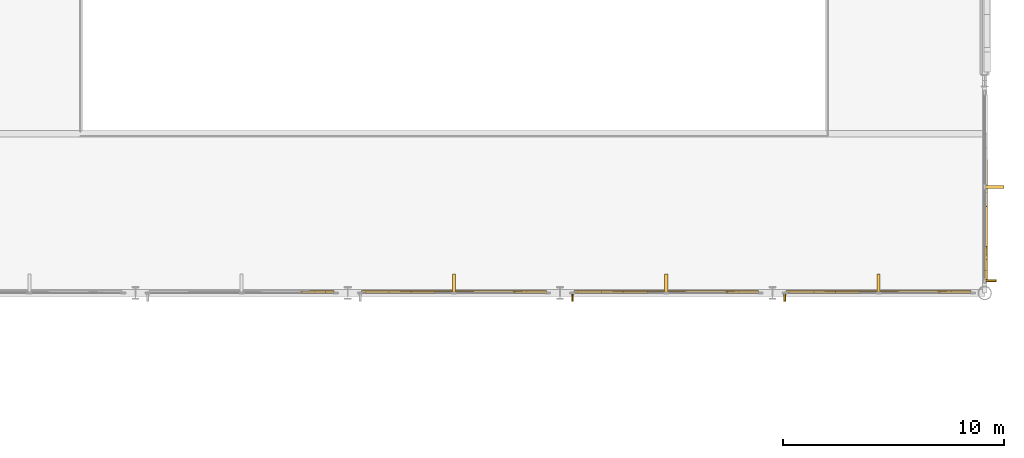
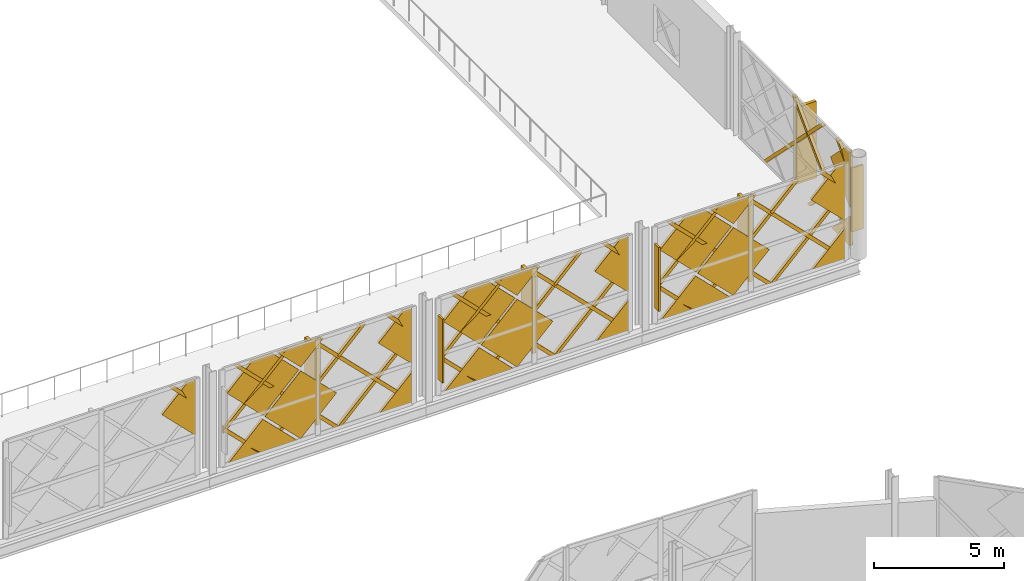
# One storey, part 74 of 77: 51 coverings, 3 shading devices.
"""IFC4 building model written with IfcOpenShell, lengths in metres."""

from ifc_helpers import new_model, si_unit, direction, frame, origin, origin_2d, place, context, subcontext, project, spatial, polyline, rectangle, outline, extrude, material, layer, layer_set, type_object, element, save


model = new_model("IFC4")

# Units and contexts
model_context = context("Model", 3, precision=1e-05, world=origin(), true_north=direction((0.0, 1.0)))
body_context = subcontext(model_context, "Body", "Model", "MODEL_VIEW")
ifc_project = project(units=[si_unit("LENGTHUNIT", "METRE"), si_unit("AREAUNIT", "SQUARE_METRE"), si_unit("VOLUMEUNIT", "CUBIC_METRE"), si_unit("PLANEANGLEUNIT", "RADIAN"), si_unit("MASSUNIT", "GRAM", prefix="KILO")], contexts=[model_context])

# Site, building, storey
site_placement = place(None, origin())
site = spatial("IfcSite", under=ifc_project, at=site_placement, CompositionType="ELEMENT")
building_placement = place(site_placement, origin())
building = spatial("IfcBuilding", under=site, at=building_placement, Name="Zevrakil Square Congress Hotel", CompositionType="ELEMENT")
storey_placement = place(building_placement, frame((0.0, 0.0, 9.89990234375)))
storey = spatial("IfcBuildingStorey", under=building, at=storey_placement, Name="L03", CompositionType="ELEMENT", Elevation=9.89990234375)

# Coverings
ifc_material_1 = material(Name="Architectural White Fibre-C GRC", Category="concrete")
ifc_layer_1 = layer(ifc_material_1, 0.06494140625)
ifc_layer_set_1 = layer_set([ifc_layer_1], Name="Architectural White Fibre-C GRC")
covering_type_1 = type_object("IfcCoveringType", Name="COV-DIA-WHITE", PredefinedType="CLADDING", material=ifc_layer_set_1)
covering_1_placement = place(storey_placement, frame((165.695068359375, 66.830078125, 0.080078125), z_axis=(0.999999760125, 0.0, 0.000692640526), x_axis=(0.0, -1.0, 0.0)))
element("IfcCovering", 1, at=covering_1_placement, inside=storey, type_object=covering_type_1, Name="L03 45-degree white GRC diamond facade cassette 894", PredefinedType="CLADDING", context=body_context, shape_type="SweptSolid", body=[
    extrude(outline(polyline([(0.0, 0.0), (1.41015625, 0.0), (1.41015625, -1.4099124475784226), (0.0, 0.0)])), origin(), (0.0, 0.0, -1.0), 0.1201171875),
])
covering_2_placement = place(storey_placement, frame((165.693115234375, 66.909912109375, 3.360107421875), z_axis=(0.999999832132, -6.6590382e-05, 0.000575587748), x_axis=(0.000359915524, -0.707106739346, -0.707106731429)))
element("IfcCovering", 2, at=covering_2_placement, inside=storey, type_object=covering_type_1, Name="L03 45-degree white GRC diamond facade cassette 897", PredefinedType="CLADDING", context=body_context, shape_type="SweptSolid", body=[
    extrude(outline(polyline([(0.0, 0.0), (2.1071645243864108, 4.440892098500626e-16), (0.2756954147132399, -1.8314688986077563), (-0.00017288838131890305, -1.5556005640896053), (0.0, 0.0)])), origin(), (0.0, 0.0, -1.0), 0.1201171875),
])
covering_3_placement = place(storey_placement, frame((134.68994140625, 64.89306640625, 3.360107421875), z_axis=(6.6594553e-05, 0.999999832135, 0.0005755821), x_axis=(0.707106739346, 0.00035990858, -0.707106731433)))
element("IfcCovering", 3, at=covering_3_placement, inside=storey, type_object=covering_type_1, Name="L03 45-degree white GRC diamond facade cassette 1079", PredefinedType="CLADDING", context=body_context, shape_type="SweptSolid", body=[
    extrude(outline(polyline([(0.0, 0.0), (2.1071645243865915, 0.0), (0.27569541471321635, -1.8314688986077599), (-2.548998729867691e-07, -1.5557731975905282), (0.0, 0.0)])), origin(), (0.0, 0.0, -1.0), 0.1201171875),
])
covering_4_placement = place(storey_placement, frame((144.3701171875, 64.89501953125, 0.080078125), z_axis=(0.0, 0.999999760125, 0.000692640526), x_axis=(1.0, 0.0, 0.0)))
element("IfcCovering", 4, at=covering_4_placement, inside=storey, type_object=covering_type_1, Name="L03 45-degree white GRC diamond facade cassette 1101", PredefinedType="CLADDING", context=body_context, shape_type="SweptSolid", body=[
    extrude(outline(polyline([(0.0, 0.0), (1.409912109375, 0.0), (1.409912109375, -1.4099124475784228), (0.0, 0.0)])), origin(), (0.0, 0.0, -1.0), 0.1201171875),
])
covering_5_placement = place(storey_placement, frame((139.159912109375, 64.89404296875, 1.590087890625), z_axis=(0.0, 0.999999790873, 0.000646725815), x_axis=(-0.707106707249, 0.000457304257, -0.707106707249)))
element("IfcCovering", 5, at=covering_5_placement, inside=storey, type_object=covering_type_1, Name="L03 45-degree white GRC diamond facade cassette 1102", PredefinedType="CLADDING", context=body_context, shape_type="SweptSolid", body=[
    extrude(outline(polyline([(0.0, 0.0), (2.1354765131557993, 0.0), (4.465861884739297e-07, -2.1354765131557527), (0.0, 0.0)])), origin(), (0.0, 0.0, -1.0), 0.1201171875),
])
covering_6_placement = place(storey_placement, frame((140.840087890625, 64.89306640625, 3.27001953125), z_axis=(0.0, 0.999999811377, 0.000614203339), x_axis=(-0.707161000837, 0.000434274042, -0.707052424012)))
element("IfcCovering", 6, at=covering_6_placement, inside=storey, type_object=covering_type_1, Name="L03 45-degree white GRC diamond facade cassette 1103", PredefinedType="CLADDING", context=body_context, shape_type="SweptSolid", body=[
    extrude(outline(polyline([(0.0, 0.0), (2.2485514454867683, 0.0), (2.2483792228863573, -2.248724065739994), (-0.0001721960923970478, -2.248378798790573), (0.0, 0.0)])), origin(), (0.0, 0.0, -1.0), 0.1201171875),
])
covering_7_placement = place(storey_placement, frame((144.2900390625, 64.89306640625, 3.360107421875), z_axis=(6.6590382e-05, 0.999999832132, 0.000575587748), x_axis=(0.707106739346, 0.000359915524, -0.707106731429)))
element("IfcCovering", 7, at=covering_7_placement, inside=storey, type_object=covering_type_1, Name="L03 45-degree white GRC diamond facade cassette 1104", PredefinedType="CLADDING", context=body_context, shape_type="SweptSolid", body=[
    extrude(outline(polyline([(0.0, 0.0), (2.1071645243864108, 4.440892098500626e-16), (0.2756954147132399, -1.8314688986077563), (-0.00017288838131890305, -1.5556005640896053), (0.0, 0.0)])), origin(), (0.0, 0.0, -1.0), 0.1201171875),
])
covering_8_placement = place(storey_placement, frame((137.570068359375, 64.89306640625, 3.360107421875), z_axis=(0.0, 0.99999984427, 0.000558085713), x_axis=(0.707052454844, 0.000394656509, -0.707160993229)))
element("IfcCovering", 8, at=covering_8_placement, inside=storey, type_object=covering_type_1, Name="L03 45-degree white GRC diamond facade cassette 1105", PredefinedType="CLADDING", context=body_context, shape_type="SweptSolid", body=[
    extrude(outline(polyline([(0.0, 0.0), (2.248551347367504, 0.0), (2.24837847274146, -2.2487239675782313), (0.692605284023527, -2.2486046114861047), (-0.00029231210577995714, -1.5556005419383874), (0.0, 0.0)])), origin(), (0.0, 0.0, -1.0), 0.1201171875),
])
covering_9_placement = place(storey_placement, frame((140.840087890625, 64.892822265625, 3.4501953125), z_axis=(0.0, 0.999999883142, 0.000483442051), x_axis=(0.707106739871, -0.000341845173, 0.707106739871)))
element("IfcCovering", 9, at=covering_9_placement, inside=storey, type_object=covering_type_1, Name="L03 45-degree white GRC diamond facade cassette 1106", PredefinedType="CLADDING", context=body_context, shape_type="SweptSolid", body=[
    extrude(outline(polyline([(0.0, 0.0), (1.4283695921344428, 0.0), (1.6691658821788025e-07, -1.4283695921344328), (0.0, 0.0)])), origin(), (0.0, 0.0, -1.0), 0.1201171875),
])
covering_10_placement = place(storey_placement, frame((153.969970703125, 64.89501953125, 0.080078125), z_axis=(0.0, 0.999999760125, 0.000692640526), x_axis=(1.0, 0.0, 0.0)))
element("IfcCovering", 10, at=covering_10_placement, inside=storey, type_object=covering_type_1, Name="L03 45-degree white GRC diamond facade cassette 1126", PredefinedType="CLADDING", context=body_context, shape_type="SweptSolid", body=[
    extrude(outline(polyline([(0.0, 0.0), (1.409912109375, 0.0), (1.409912109375, -1.4099124475784228), (0.0, 0.0)])), origin(), (0.0, 0.0, -1.0), 0.1201171875),
])
covering_11_placement = place(storey_placement, frame((148.760009765625, 64.89404296875, 1.590087890625), z_axis=(0.0, 0.999999790873, 0.000646725815), x_axis=(-0.707106707249, 0.000457304257, -0.707106707249)))
element("IfcCovering", 11, at=covering_11_placement, inside=storey, type_object=covering_type_1, Name="L03 45-degree white GRC diamond facade cassette 1127", PredefinedType="CLADDING", context=body_context, shape_type="SweptSolid", body=[
    extrude(outline(polyline([(0.0, 0.0), (2.1354765131557993, 0.0), (4.465861884739297e-07, -2.1354765131557527), (0.0, 0.0)])), origin(), (0.0, 0.0, -1.0), 0.1201171875),
])
covering_12_placement = place(storey_placement, frame((150.43994140625, 64.89306640625, 3.27001953125), z_axis=(0.0, 0.999999811377, 0.000614203339), x_axis=(-0.707106714488, 0.000434307387, -0.707106714509)))
element("IfcCovering", 12, at=covering_12_placement, inside=storey, type_object=covering_type_1, Name="L03 45-degree white GRC diamond facade cassette 1128", PredefinedType="CLADDING", context=body_context, shape_type="SweptSolid", body=[
    extrude(outline(polyline([(0.0, 0.0), (2.2483788053845455, -2.220446049250313e-16), (2.2485518630206376, -2.24855143882716), (-0.00017220931434658304, -2.2485514388922905), (0.0, 0.0)])), origin(), (0.0, 0.0, -1.0), 0.1201171875),
])
covering_13_placement = place(storey_placement, frame((153.889892578125, 64.89306640625, 3.360107421875), z_axis=(6.6594553e-05, 0.999999832135, 0.0005755821), x_axis=(0.707106739346, 0.00035990858, -0.707106731433)))
element("IfcCovering", 13, at=covering_13_placement, inside=storey, type_object=covering_type_1, Name="L03 45-degree white GRC diamond facade cassette 1129", PredefinedType="CLADDING", context=body_context, shape_type="SweptSolid", body=[
    extrude(outline(polyline([(0.0, 0.0), (2.1071645243865915, 0.0), (0.27569541471321635, -1.8314688986077599), (-2.548998729867691e-07, -1.5557731975905282), (0.0, 0.0)])), origin(), (0.0, 0.0, -1.0), 0.1201171875),
])
covering_14_placement = place(storey_placement, frame((147.169921875, 64.89306640625, 3.360107421875), z_axis=(0.0, 0.999999844271, 0.000558084788), x_axis=(0.70710674536, 0.000394625558, -0.707106706896)))
element("IfcCovering", 14, at=covering_14_placement, inside=storey, type_object=covering_type_1, Name="L03 45-degree white GRC diamond facade cassette 1130", PredefinedType="CLADDING", context=body_context, shape_type="SweptSolid", body=[
    extrude(outline(polyline([(0.0, 0.0), (2.2487239742233536, 0.0), (2.248723746350855, -2.248723974223342), (0.6929505530546104, -2.24872406328951), (-2.467190984845047e-07, -1.5557731932962273), (0.0, 0.0)])), origin(), (0.0, 0.0, -1.0), 0.1201171875),
])
covering_15_placement = place(storey_placement, frame((150.43994140625, 64.892822265625, 3.4501953125), z_axis=(0.0, 0.999999883142, 0.000483442051), x_axis=(0.707106739871, -0.000341845173, 0.707106739871)))
element("IfcCovering", 15, at=covering_15_placement, inside=storey, type_object=covering_type_1, Name="L03 45-degree white GRC diamond facade cassette 1131", PredefinedType="CLADDING", context=body_context, shape_type="SweptSolid", body=[
    extrude(outline(polyline([(0.0, 0.0), (1.4283695921344428, 0.0), (1.6691658821788025e-07, -1.4283695921344328), (0.0, 0.0)])), origin(), (0.0, 0.0, -1.0), 0.1201171875),
])
covering_16_placement = place(storey_placement, frame((163.570068359375, 64.89501953125, 0.080078125), z_axis=(0.0, 0.999999760125, 0.000692640526), x_axis=(1.0, 0.0, 0.0)))
element("IfcCovering", 16, at=covering_16_placement, inside=storey, type_object=covering_type_1, Name="L03 45-degree white GRC diamond facade cassette 1151", PredefinedType="CLADDING", context=body_context, shape_type="SweptSolid", body=[
    extrude(outline(polyline([(0.0, 0.0), (1.409912109375, 0.0), (1.409912109375, -1.4099124475784228), (0.0, 0.0)])), origin(), (0.0, 0.0, -1.0), 0.1201171875),
])
covering_17_placement = place(storey_placement, frame((158.360107421875, 64.89404296875, 1.590087890625), z_axis=(0.0, 0.999999790873, 0.000646725815), x_axis=(-0.707106707249, 0.000457304257, -0.707106707249)))
element("IfcCovering", 17, at=covering_17_placement, inside=storey, type_object=covering_type_1, Name="L03 45-degree white GRC diamond facade cassette 1152", PredefinedType="CLADDING", context=body_context, shape_type="SweptSolid", body=[
    extrude(outline(polyline([(0.0, 0.0), (2.1354765131557993, 0.0), (4.465861884739297e-07, -2.1354765131557527), (0.0, 0.0)])), origin(), (0.0, 0.0, -1.0), 0.1201171875),
])
covering_18_placement = place(storey_placement, frame((160.0400390625, 64.89306640625, 3.27001953125), z_axis=(0.0, 0.999999811377, 0.000614203339), x_axis=(-0.707161000837, 0.000434274042, -0.707052424012)))
element("IfcCovering", 18, at=covering_18_placement, inside=storey, type_object=covering_type_1, Name="L03 45-degree white GRC diamond facade cassette 1153", PredefinedType="CLADDING", context=body_context, shape_type="SweptSolid", body=[
    extrude(outline(polyline([(0.0, 0.0), (2.2485514454867683, 0.0), (2.2483792228863573, -2.248724065739994), (-0.0001721960923970478, -2.248378798790573), (0.0, 0.0)])), origin(), (0.0, 0.0, -1.0), 0.1201171875),
])
covering_19_placement = place(storey_placement, frame((163.489990234375, 64.89306640625, 3.360107421875), z_axis=(6.6594553e-05, 0.999999832135, 0.0005755821), x_axis=(0.707106739346, 0.00035990858, -0.707106731433)))
element("IfcCovering", 19, at=covering_19_placement, inside=storey, type_object=covering_type_1, Name="L03 45-degree white GRC diamond facade cassette 1154", PredefinedType="CLADDING", context=body_context, shape_type="SweptSolid", body=[
    extrude(outline(polyline([(0.0, 0.0), (2.1071645243865915, 0.0), (0.27569541471321635, -1.8314688986077599), (-2.548998729867691e-07, -1.5557731975905282), (0.0, 0.0)])), origin(), (0.0, 0.0, -1.0), 0.1201171875),
])
covering_20_placement = place(storey_placement, frame((156.77001953125, 64.89306640625, 3.360107421875), z_axis=(0.0, 0.99999984427, 0.000558085713), x_axis=(0.70710674536, 0.000394626212, -0.707106706896)))
element("IfcCovering", 20, at=covering_20_placement, inside=storey, type_object=covering_type_1, Name="L03 45-degree white GRC diamond facade cassette 1155", PredefinedType="CLADDING", context=body_context, shape_type="SweptSolid", body=[
    extrude(outline(polyline([(0.0, 0.0), (2.2487239742232523, 2.220446049250313e-16), (2.2485511128682028, -2.248551340722994), (0.6929505530546344, -2.248724063289557), (-2.4671910581197665e-07, -1.5557731932963055), (0.0, 0.0)])), origin(), (0.0, 0.0, -1.0), 0.1201171875),
])
covering_21_placement = place(storey_placement, frame((160.0400390625, 64.892822265625, 3.4501953125), z_axis=(0.0, 0.999999883142, 0.000483442051), x_axis=(0.707106739871, -0.000341845173, 0.707106739871)))
element("IfcCovering", 21, at=covering_21_placement, inside=storey, type_object=covering_type_1, Name="L03 45-degree white GRC diamond facade cassette 1156", PredefinedType="CLADDING", context=body_context, shape_type="SweptSolid", body=[
    extrude(outline(polyline([(0.0, 0.0), (1.4283695921344428, 0.0), (1.6691658821788025e-07, -1.4283695921344328), (0.0, 0.0)])), origin(), (0.0, 0.0, -1.0), 0.1201171875),
])
ifc_material_2 = material(Name="Anodised Champagne Aluminium", Category="aluminium")
ifc_layer_2 = layer(ifc_material_2, 0.0849609375)
ifc_layer_set_2 = layer_set([ifc_layer_2], Name="Anodised Champagne Aluminium")
covering_type_2 = type_object("IfcCoveringType", Name="COV-DIAGRID-45", PredefinedType="MOLDING", material=ifc_layer_set_2)
covering_22_placement = place(storey_placement, frame((165.718017578125, 65.419921875, 3.35400390625), z_axis=(0.999999865922, 0.00036616619, 0.00036616619), x_axis=(-0.000366166166, -1.34078e-07, 0.999999932961)))
element("IfcCovering", 22, at=covering_22_placement, inside=storey, type_object=covering_type_2, Name="L03 45-degree aluminium diagrid rib 900", PredefinedType="MOLDING", context=body_context, shape_type="SweptSolid", body=[
    extrude(outline(polyline([(0.0, 0.0), (0.21215818890215982, 5.6157808774107894e-24), (1.1062012460334505, -0.8940431770025326), (1.1062012175877691, -1.1062013659046903), (0.0, 0.0)])), origin(), (0.0, 0.0, -1.0), 0.14501953125),
])
covering_23_placement = place(storey_placement, frame((165.719970703125, 65.506103515625, 0.080078125), z_axis=(0.999999888676, 0.000183854233, 0.000434564551), x_axis=(0.000183854216, -0.999999983099, 7.9897e-08)))
element("IfcCovering", 23, at=covering_23_placement, inside=storey, type_object=covering_type_2, Name="L03 45-degree aluminium diagrid rib 901", PredefinedType="MOLDING", context=body_context, shape_type="SweptSolid", body=[
    extrude(outline(polyline([(0.0, 0.0), (0.08618163916842775, 0.0), (0.08618164925302442, -0.12622069120683954), (-4.16772468272765, -4.380127706582967), (-4.379882882266924, -4.380127706582967), (0.0, 0.0)])), origin(), (0.0, 0.0, -1.0), 0.14501953125),
])
covering_24_placement = place(storey_placement, frame((165.718017578125, 65.419921875, 3.154052734375), z_axis=(0.999999905696, -0.00030708991, 0.00030708991), x_axis=(-0.000307089896, 9.4304e-08, 0.999999952848)))
element("IfcCovering", 24, at=covering_24_placement, inside=storey, type_object=covering_type_2, Name="L03 45-degree aluminium diagrid rib 904", PredefinedType="MOLDING", context=body_context, shape_type="SweptSolid", body=[
    extrude(outline(polyline([(0.0, 0.0), (0.2121581931212936, 0.0), (-3.0739747543193885, -3.2861332573369064), (-3.073974774326802, -3.0739750642156136), (0.0, 0.0)])), origin(), (0.0, 0.0, -1.0), 0.14501953125),
])
covering_25_placement = place(storey_placement, frame((165.71728515625, 67.473876953125, 4.460205078125), z_axis=(0.999999812042, 0.0, 0.00061312067), x_axis=(0.0, 1.0, 0.0)))
element("IfcCovering", 25, at=covering_25_placement, inside=storey, type_object=covering_type_2, Name="L03 45-degree aluminium diagrid rib 905", PredefinedType="MOLDING", context=body_context, shape_type="SweptSolid", body=[
    extrude(outline(polyline([(0.0, 0.0), (0.212158203125, 0.0), (4.59228515625, -4.380127776407226), (4.380126953125, -4.380127776407226), (0.0, 0.0)])), origin(), (0.0, 0.0, -1.0), 0.14501953125),
])
covering_26_placement = place(storey_placement, frame((136.179931640625, 64.91796875, 3.35400390625), z_axis=(-0.000366210888, 0.99999986589, 0.000366210888), x_axis=(1.3411e-07, -0.000366210864, 0.999999932945)))
element("IfcCovering", 26, at=covering_26_placement, inside=storey, type_object=covering_type_2, Name="L03 45-degree aluminium diagrid rib 1082", PredefinedType="MOLDING", context=body_context, shape_type="SweptSolid", body=[
    extrude(outline(polyline([(0.0, 0.0), (0.21215818889868723, 0.0), (1.1062012460515567, -0.8937990364120078), (1.10620121759893, -1.105957225310693), (0.0, 0.0)])), origin(), (0.0, 0.0, -1.0), 0.14501953125),
])
covering_27_placement = place(storey_placement, frame((145.780029296875, 64.91796875, 3.35400390625), z_axis=(-0.00036616619, 0.999999865922, 0.00036616619), x_axis=(1.34078e-07, -0.000366166166, 0.999999932961)))
element("IfcCovering", 27, at=covering_27_placement, inside=storey, type_object=covering_type_2, Name="L03 45-degree aluminium diagrid rib 1107", PredefinedType="MOLDING", context=body_context, shape_type="SweptSolid", body=[
    extrude(outline(polyline([(0.0, 0.0), (0.21215818890215982, 5.6157808774107894e-24), (1.1062012460334505, -0.8940431770025326), (1.1062012175877691, -1.1062013659046903), (0.0, 0.0)])), origin(), (0.0, 0.0, -1.0), 0.14501953125),
])
covering_28_placement = place(storey_placement, frame((145.69384765625, 64.919921875, 0.080078125), z_axis=(-0.000183854233, 0.999999888676, 0.000434564551), x_axis=(0.999999983099, 0.000183854216, 7.9897e-08)))
element("IfcCovering", 28, at=covering_28_placement, inside=storey, type_object=covering_type_2, Name="L03 45-degree aluminium diagrid rib 1108", PredefinedType="MOLDING", context=body_context, shape_type="SweptSolid", body=[
    extrude(outline(polyline([(0.0, 0.0), (0.08618163916842775, 0.0), (0.08618164925302442, -0.12622069120683954), (-4.16772468272765, -4.380127706582967), (-4.379882882266924, -4.380127706582967), (0.0, 0.0)])), origin(), (0.0, 0.0, -1.0), 0.14501953125),
])
covering_29_placement = place(storey_placement, frame((142.333984375, 64.919921875, 0.080078125), z_axis=(0.0, 0.999999812042, 0.00061312067), x_axis=(1.0, 0.0, 0.0)))
element("IfcCovering", 29, at=covering_29_placement, inside=storey, type_object=covering_type_2, Name="L03 45-degree aluminium diagrid rib 1109", PredefinedType="MOLDING", context=body_context, shape_type="SweptSolid", body=[
    extrude(outline(polyline([(0.0, 0.0), (0.212158203125, 0.0), (-4.16796875, -4.380127776407226), (-4.380126953125, -4.380127776407226), (0.0, 0.0)])), origin(), (0.0, 0.0, -1.0), 0.14501953125),
])
covering_30_placement = place(storey_placement, frame((138.973876953125, 64.919921875, 0.080078125), z_axis=(-0.000294139249, 0.999999913482, 0.000294139249), x_axis=(0.999999956741, 0.000294139237, 8.6518e-08)))
element("IfcCovering", 30, at=covering_30_placement, inside=storey, type_object=covering_type_2, Name="L03 45-degree aluminium diagrid rib 1110", PredefinedType="MOLDING", context=body_context, shape_type="SweptSolid", body=[
    extrude(outline(polyline([(0.0, 0.0), (0.2121581939472589, 0.0), (-1.553955145347468, -1.7661134920951609), (-1.5539551637029505, -1.5539552981479028), (0.0, 0.0)])), origin(), (0.0, 0.0, -1.0), 0.14501953125),
])
covering_31_placement = place(storey_placement, frame((145.780029296875, 64.918212890625, 3.154052734375), z_axis=(-0.000287477056, 0.99999958606, 0.000863270454), x_axis=(-8.2643e-08, -0.000863270513, 0.999999627382)))
element("IfcCovering", 31, at=covering_31_placement, inside=storey, type_object=covering_type_2, Name="L03 45-degree aluminium diagrid rib 1111", PredefinedType="MOLDING", context=body_context, shape_type="SweptSolid", body=[
    extrude(outline(polyline([(0.0, 0.0), (0.21215833483042407, 1.3234889800848443e-23), (-3.0739746676964605, -3.286133202330571), (-3.073974685229852, -3.0739750079722734), (0.0, 0.0)])), origin(), (0.0, 0.0, -1.0), 0.14501953125),
])
covering_32_placement = place(storey_placement, frame((143.72607421875, 64.917236328125, 4.460205078125), z_axis=(0.0, 0.999999812042, 0.00061312067), x_axis=(-1.0, 0.0, 0.0)))
element("IfcCovering", 32, at=covering_32_placement, inside=storey, type_object=covering_type_2, Name="L03 45-degree aluminium diagrid rib 1112", PredefinedType="MOLDING", context=body_context, shape_type="SweptSolid", body=[
    extrude(outline(polyline([(0.0, 0.0), (0.212158203125, 0.0), (4.59228515625, -4.380127776407226), (4.3798828125, -4.380127776407226), (0.0, 0.0)])), origin(), (0.0, 0.0, -1.0), 0.14501953125),
])
covering_33_placement = place(storey_placement, frame((140.3662109375, 64.917236328125, 4.460205078125), z_axis=(-0.000252353727, 0.99999956579, 0.000897071061), x_axis=(-0.999999968159, -0.000252353626, -2.26379e-07)))
element("IfcCovering", 33, at=covering_33_placement, inside=storey, type_object=covering_type_2, Name="L03 45-degree aluminium diagrid rib 1113", PredefinedType="MOLDING", context=body_context, shape_type="SweptSolid", body=[
    extrude(outline(polyline([(0.0, 0.0), (0.21240233698685398, -5.62224322594636e-24), (2.946289156313389, -2.733887151800985), (2.946289142787097, -2.9462896290985006), (0.0, 0.0)])), origin(), (0.0, 0.0, -1.0), 0.14501953125),
])
covering_34_placement = place(storey_placement, frame((155.3798828125, 64.91796875, 3.35400390625), z_axis=(-0.000366210888, 0.99999986589, 0.000366210888), x_axis=(1.3411e-07, -0.000366210864, 0.999999932945)))
element("IfcCovering", 34, at=covering_34_placement, inside=storey, type_object=covering_type_2, Name="L03 45-degree aluminium diagrid rib 1132", PredefinedType="MOLDING", context=body_context, shape_type="SweptSolid", body=[
    extrude(outline(polyline([(0.0, 0.0), (0.21215818889868723, 0.0), (1.1062012460515567, -0.8937990364120078), (1.10620121759893, -1.105957225310693), (0.0, 0.0)])), origin(), (0.0, 0.0, -1.0), 0.14501953125),
])
covering_35_placement = place(storey_placement, frame((155.2939453125, 64.919921875, 0.080078125), z_axis=(-0.000183857306, 0.999999888672, 0.000434571815), x_axis=(0.999999983098, 0.000183857289, 7.9899e-08)))
element("IfcCovering", 35, at=covering_35_placement, inside=storey, type_object=covering_type_2, Name="L03 45-degree aluminium diagrid rib 1133", PredefinedType="MOLDING", context=body_context, shape_type="SweptSolid", body=[
    extrude(outline(polyline([(0.0, 0.0), (0.08593749854750544, 0.0), (0.08593750863243922, -0.12622069120644114), (-4.167724682721849, -4.380127706588648), (-4.380127022881877, -4.380127706588648), (0.0, 0.0)])), origin(), (0.0, 0.0, -1.0), 0.14501953125),
])
covering_36_placement = place(storey_placement, frame((151.933837890625, 64.919921875, 0.080078125), z_axis=(0.0, 0.999999812042, 0.00061312067), x_axis=(1.0, 0.0, 0.0)))
element("IfcCovering", 36, at=covering_36_placement, inside=storey, type_object=covering_type_2, Name="L03 45-degree aluminium diagrid rib 1134", PredefinedType="MOLDING", context=body_context, shape_type="SweptSolid", body=[
    extrude(outline(polyline([(0.0, 0.0), (0.212158203125, 0.0), (-4.167724609375, -4.380127776407226), (-4.3798828125, -4.380127776407226), (0.0, 0.0)])), origin(), (0.0, 0.0, -1.0), 0.14501953125),
])
covering_37_placement = place(storey_placement, frame((148.573974609375, 64.919921875, 0.080078125), z_axis=(-0.000294139249, 0.999999913482, 0.000294139249), x_axis=(0.999999956741, 0.000294139237, 8.6518e-08)))
element("IfcCovering", 37, at=covering_37_placement, inside=storey, type_object=covering_type_2, Name="L03 45-degree aluminium diagrid rib 1135", PredefinedType="MOLDING", context=body_context, shape_type="SweptSolid", body=[
    extrude(outline(polyline([(0.0, 0.0), (0.2121581939472589, 0.0), (-1.553955145347468, -1.7661134920951609), (-1.5539551637029505, -1.5539552981479028), (0.0, 0.0)])), origin(), (0.0, 0.0, -1.0), 0.14501953125),
])
covering_38_placement = place(storey_placement, frame((155.3798828125, 64.918212890625, 3.154052734375), z_axis=(-0.000287488092, 0.999999586067, 0.000863259418), x_axis=(-8.2649e-08, -0.000863259477, 0.999999627391)))
element("IfcCovering", 38, at=covering_38_placement, inside=storey, type_object=covering_type_2, Name="L03 45-degree aluminium diagrid rib 1136", PredefinedType="MOLDING", context=body_context, shape_type="SweptSolid", body=[
    extrude(outline(polyline([(0.0, 0.0), (0.212158334829751, 1.3234889800848443e-23), (-3.0739746677062127, -3.2858890617254115), (-3.073974685240951, -3.0737308673677872), (0.0, 0.0)])), origin(), (0.0, 0.0, -1.0), 0.14501953125),
])
covering_39_placement = place(storey_placement, frame((153.326171875, 64.917236328125, 4.460205078125), z_axis=(0.0, 0.999999812042, 0.00061312067), x_axis=(-1.0, 0.0, 0.0)))
element("IfcCovering", 39, at=covering_39_placement, inside=storey, type_object=covering_type_2, Name="L03 45-degree aluminium diagrid rib 1137", PredefinedType="MOLDING", context=body_context, shape_type="SweptSolid", body=[
    extrude(outline(polyline([(0.0, 0.0), (0.212158203125, 0.0), (4.59228515625, -4.380127776407226), (4.380126953125, -4.380127776407226), (0.0, 0.0)])), origin(), (0.0, 0.0, -1.0), 0.14501953125),
])
covering_40_placement = place(storey_placement, frame((149.966064453125, 64.917236328125, 4.460205078125), z_axis=(-0.000252504271, 0.999999565627, 0.000897210752), x_axis=(-0.999999968121, -0.000252504169, -2.2655e-07)))
element("IfcCovering", 40, at=covering_40_placement, inside=storey, type_object=covering_type_2, Name="L03 45-degree aluminium diagrid rib 1138", PredefinedType="MOLDING", context=body_context, shape_type="SweptSolid", body=[
    extrude(outline(polyline([(0.0, 0.0), (0.21215819636156538, -5.6157808774107894e-24), (2.94604501579257, -2.7338871516970973), (2.9460450022657008, -2.946289629002098), (0.0, 0.0)])), origin(), (0.0, 0.0, -1.0), 0.14501953125),
])
covering_41_placement = place(storey_placement, frame((164.97998046875, 64.91796875, 3.35400390625), z_axis=(-0.000365977951, 0.999999865906, 0.000366399099), x_axis=(1.34094e-07, -0.000366399075, 0.999999932876)))
element("IfcCovering", 41, at=covering_41_placement, inside=storey, type_object=covering_type_2, Name="L03 45-degree aluminium diagrid rib 1157", PredefinedType="MOLDING", context=body_context, shape_type="SweptSolid", body=[
    extrude(outline(polyline([(0.0, 0.0), (0.2121581888840605, 5.6157808774107894e-24), (1.1062012461278208, -0.8937990363176199), (1.1062012176459408, -1.1062013658430474), (0.0, 0.0)])), origin(), (0.0, 0.0, -1.0), 0.14501953125),
])
covering_42_placement = place(storey_placement, frame((164.893798828125, 64.919921875, 0.080078125), z_axis=(-0.000183854233, 0.999999888676, 0.000434564551), x_axis=(0.999999983099, 0.000183854216, 7.9897e-08)))
element("IfcCovering", 42, at=covering_42_placement, inside=storey, type_object=covering_type_2, Name="L03 45-degree aluminium diagrid rib 1158", PredefinedType="MOLDING", context=body_context, shape_type="SweptSolid", body=[
    extrude(outline(polyline([(0.0, 0.0), (0.08618163916842775, 0.0), (0.08618164925302442, -0.12622069120683954), (-4.16772468272765, -4.380127706582967), (-4.379882882266924, -4.380127706582967), (0.0, 0.0)])), origin(), (0.0, 0.0, -1.0), 0.14501953125),
])
covering_43_placement = place(storey_placement, frame((161.533935546875, 64.919921875, 0.080078125), z_axis=(0.0, 0.999999812042, 0.00061312067), x_axis=(1.0, 0.0, 0.0)))
element("IfcCovering", 43, at=covering_43_placement, inside=storey, type_object=covering_type_2, Name="L03 45-degree aluminium diagrid rib 1159", PredefinedType="MOLDING", context=body_context, shape_type="SweptSolid", body=[
    extrude(outline(polyline([(0.0, 0.0), (0.212158203125, 0.0), (-4.167724609375, -4.380127776407226), (-4.380126953125, -4.380127776407226), (0.0, 0.0)])), origin(), (0.0, 0.0, -1.0), 0.14501953125),
])
covering_44_placement = place(storey_placement, frame((158.173828125, 64.919921875, 0.080078125), z_axis=(-0.000294160881, 0.999999913469, 0.000294160881), x_axis=(0.999999956735, 0.000294160868, 8.6531e-08)))
element("IfcCovering", 44, at=covering_44_placement, inside=storey, type_object=covering_type_2, Name="L03 45-degree aluminium diagrid rib 1160", PredefinedType="MOLDING", context=body_context, shape_type="SweptSolid", body=[
    extrude(outline(polyline([(0.0, 0.0), (0.21215819394590898, 2.8078904387053947e-24), (-1.5537110047217924, -1.7661134921050472), (-1.5537110230799749, -1.5539552981591391), (0.0, 0.0)])), origin(), (0.0, 0.0, -1.0), 0.14501953125),
])
covering_45_placement = place(storey_placement, frame((164.97998046875, 64.918212890625, 3.154052734375), z_axis=(-0.000287477056, 0.99999958606, 0.000863270454), x_axis=(-8.2643e-08, -0.000863270513, 0.999999627382)))
element("IfcCovering", 45, at=covering_45_placement, inside=storey, type_object=covering_type_2, Name="L03 45-degree aluminium diagrid rib 1161", PredefinedType="MOLDING", context=body_context, shape_type="SweptSolid", body=[
    extrude(outline(polyline([(0.0, 0.0), (0.21215833483042407, 1.3234889800848443e-23), (-3.0739746676964605, -3.286133202330571), (-3.073974685229852, -3.0739750079722734), (0.0, 0.0)])), origin(), (0.0, 0.0, -1.0), 0.14501953125),
])
covering_46_placement = place(storey_placement, frame((162.926025390625, 64.917236328125, 4.460205078125), z_axis=(0.0, 0.999999812042, 0.00061312067), x_axis=(-1.0, 0.0, 0.0)))
element("IfcCovering", 46, at=covering_46_placement, inside=storey, type_object=covering_type_2, Name="L03 45-degree aluminium diagrid rib 1162", PredefinedType="MOLDING", context=body_context, shape_type="SweptSolid", body=[
    extrude(outline(polyline([(0.0, 0.0), (0.212158203125, 0.0), (4.592041015625, -4.380127776407226), (4.3798828125, -4.380127776407226), (0.0, 0.0)])), origin(), (0.0, 0.0, -1.0), 0.14501953125),
])
covering_47_placement = place(storey_placement, frame((159.566162109375, 64.917236328125, 4.460205078125), z_axis=(-0.000252504271, 0.999999565627, 0.000897210752), x_axis=(-0.999999968121, -0.000252504169, -2.2655e-07)))
element("IfcCovering", 47, at=covering_47_placement, inside=storey, type_object=covering_type_2, Name="L03 45-degree aluminium diagrid rib 1163", PredefinedType="MOLDING", context=body_context, shape_type="SweptSolid", body=[
    extrude(outline(polyline([(0.0, 0.0), (0.21215819636156538, -5.6157808774107894e-24), (2.94604501579257, -2.7338871516970973), (2.9460450022657008, -2.946289629002098), (0.0, 0.0)])), origin(), (0.0, 0.0, -1.0), 0.14501953125),
])
ifc_material_3 = material(Name="Architectural White Fibre-C GRC", Category="concrete")
ifc_layer_3 = layer(ifc_material_3, 0.139892578125)
ifc_layer_set_3 = layer_set([ifc_layer_3], Name="Architectural White Fibre-C GRC")
covering_type_3 = type_object("IfcCoveringType", Name="COV-FIN-GRC90", PredefinedType="MOLDING", material=ifc_layer_set_3)
for number, where, z_axis, x_axis, name in (
    (48, (166.02001953125, 69.60009765625, 0.469970703125), (0.0, 0.0, 1.0), (1.0, 0.0, 0.0), "L03 highland sun-breaker GRC fin 907"),
    (49, (141.60009765625, 65.219970703125, 0.469970703125), (0.0, 0.0, 1.0), (0.0, 1.0, 0.0), "L03 highland sun-breaker GRC fin 1114"),
    (50, (151.199951171875, 65.219970703125, 0.469970703125), (0.0, 0.0, 1.0), (0.0, 1.0, 0.0), "L03 highland sun-breaker GRC fin 1139"),
    (51, (160.800048828125, 65.219970703125, 0.469970703125), (0.0, 0.0, 1.0), (0.0, 1.0, 0.0), "L03 highland sun-breaker GRC fin 1164"),
):
    element("IfcCovering", number, at=place(storey_placement, frame(where, z_axis=z_axis, x_axis=x_axis)), inside=storey, type_object=covering_type_3, Name=name, PredefinedType="MOLDING", context=body_context, shape_type="SweptSolid", body=[
        extrude(rectangle(XDim=0.89990234375, YDim=0.139892578125, at=origin_2d()), origin(), (0.0, 0.0, 1.0), 3.60009765625),
    ])

# Shading devices
ifc_material_4 = material(Name="Aluminium Anodised Bronze", Category="aluminium")
shading_device_type_1 = type_object("IfcShadingDeviceType", Name="SHD-FIN-35", PredefinedType="JALOUSIE", material=ifc_material_4)
for number, where, z_axis, x_axis, name in (
    (52, (146.9599609375, 64.60498046875, 0.77001953125), (0.0, 0.0, 1.0), (0.0, -1.0, 0.0), "L03 aluminium solar shading fin 65"),
    (53, (156.56005859375, 64.60498046875, 0.77001953125), (0.0, 0.0, 1.0), (0.0, -1.0, 0.0), "L03 aluminium solar shading fin 67"),
):
    element("IfcShadingDevice", number, at=place(storey_placement, frame(where, z_axis=z_axis, x_axis=x_axis)), inside=storey, type_object=shading_device_type_1, Name=name, PredefinedType="JALOUSIE", context=body_context, shape_type="SweptSolid", body=[
        extrude(rectangle(XDim=0.35009765625, YDim=0.080078125, at=origin_2d()), origin(), (0.0, 0.0, 1.0), 3.0),
    ])
ifc_material_5 = material(Name="Aluminium Anodised Bronze", Category="aluminium")
shading_device_type_2 = type_object("IfcShadingDeviceType", Name="SHD-FIN-50", PredefinedType="JALOUSIE", material=ifc_material_5)
shading_device_placement = place(storey_placement, frame((165.8701171875, 65.360107421875, 0.77001953125), z_axis=(0.0, 0.0, 1.0), x_axis=(1.0, 0.0, 0.0)))
element("IfcShadingDevice", 54, at=shading_device_placement, inside=storey, type_object=shading_device_type_2, Name="L03 aluminium solar shading fin 51", PredefinedType="JALOUSIE", context=body_context, shape_type="SweptSolid", body=[
    extrude(rectangle(XDim=0.5, YDim=0.080078125, at=origin_2d()), origin(), (0.0, 0.0, 1.0), 3.0),
])

save(model, "model.ifc")
